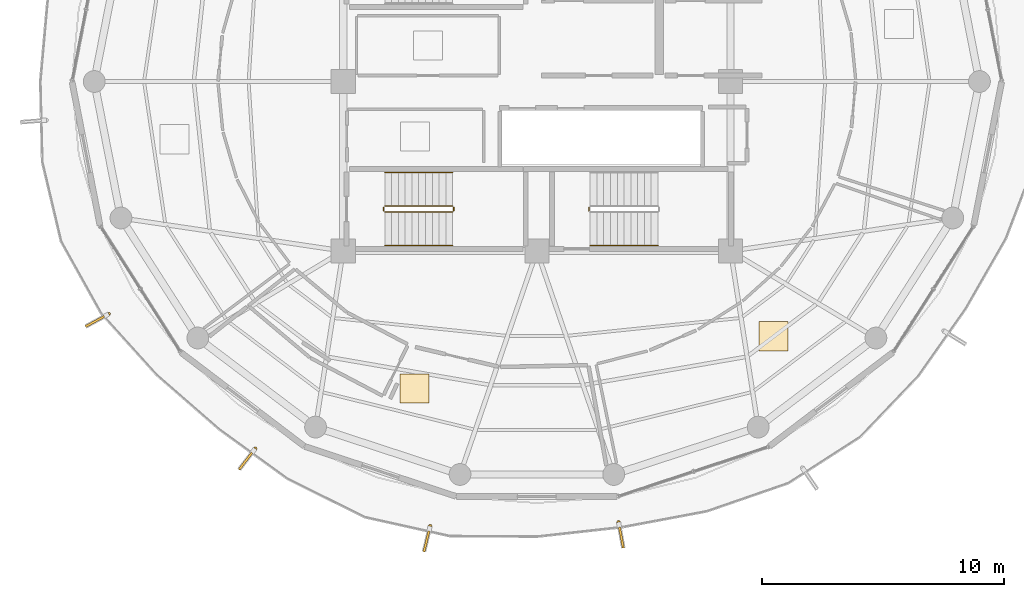
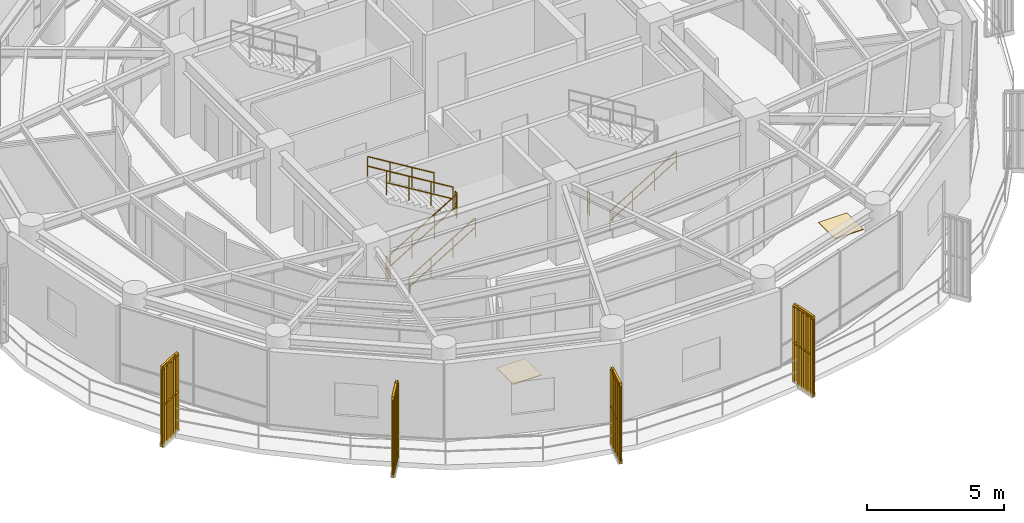
# One storey, part 20 of 23: 12 railings, 4 shading devices, 2 coverings.
"""IFC4 building model written with IfcOpenShell, lengths in metres."""

from ifc_helpers import new_model, si_unit, direction, frame, origin, origin_2d, place, context, subcontext, project, spatial, polyline, rectangle, outline, extrude, source, transform, mapped, material, layer, layer_set, type_object, element, save


model = new_model("IFC4")

# Units and contexts
model_context = context("Model", 3, precision=1e-05, world=origin(), true_north=direction((0.0, 1.0)))
body_context = subcontext(model_context, "Body", "Model", "MODEL_VIEW")
ifc_project = project(units=[si_unit("LENGTHUNIT", "METRE"), si_unit("AREAUNIT", "SQUARE_METRE"), si_unit("VOLUMEUNIT", "CUBIC_METRE"), si_unit("PLANEANGLEUNIT", "RADIAN"), si_unit("MASSUNIT", "GRAM", prefix="KILO")], contexts=[model_context])

# Site, building, storey
site_placement = place(None, origin())
site = spatial("IfcSite", under=ifc_project, at=site_placement, CompositionType="ELEMENT")
building_placement = place(site_placement, origin())
building = spatial("IfcBuilding", under=site, at=building_placement, Name="Kelanora Arch Commons", CompositionType="ELEMENT")
storey_placement = place(building_placement, frame((0.0, 0.0, 286.199951171875)))
storey = spatial("IfcBuildingStorey", under=building, at=storey_placement, Name="L73", CompositionType="ELEMENT", Elevation=286.199951171875)

# Railings
ifc_material_1 = material(Name="Anodised bronze vertical shading fin rib assembly")
railing_type_1 = type_object("IfcRailingType", Name="RAIL-FIN-BRZ", PredefinedType="BALUSTRADE", material=ifc_material_1)
railing_1_placement = place(storey_placement, frame((56.318115234375, 48.399169921875, -0.02001953125)))
element("IfcRailing", 1, at=railing_1_placement, inside=storey, type_object=railing_type_1, Name="Sweeping Bronze Vertical Fin Blade L73-09", PredefinedType="BALUSTRADE", context=body_context, shape_type="SweptSolid", body=[
    extrude(outline(polyline([(0.06982421875, 0.0), (0.034912109375, 0.060546875), (-0.034912109375, 0.060546875), (-0.06982421875, 0.0), (-0.034912109375, -0.060546875), (0.034912109375, -0.060546875), (0.06982421875, 0.0)])), frame((0.0, 0.0, 3.419921875), z_axis=(-0.878761798067, -0.477260622991, 0.0), x_axis=(0.477260622991, -0.878761798067, 0.0)), (0.0, 0.0, 1.0), 1.021484375),
    extrude(outline(polyline([(0.06982421875, 0.0), (0.034912109375, 0.060546875), (-0.034912109375, 0.060546875), (-0.06982421875, 0.0), (-0.034912109375, -0.060546875), (0.034912109375, -0.060546875), (0.06982421875, 0.0)])), frame((0.0, 0.0, 1.7451171875), z_axis=(-0.878761798067, -0.477260622991, 0.0), x_axis=(0.477260622991, -0.878761798067, 0.0)), (0.0, 0.0, 1.0), 1.021484375),
    extrude(outline(polyline([(0.080078125, 0.0), (0.0400390625, 0.0693359375), (-0.0400390625, 0.0693359375), (-0.080078125, 0.0), (-0.0400390625, -0.0693359375), (0.0400390625, -0.0693359375), (0.080078125, 0.0)])), origin(), (0.0, 0.0, 1.0), 3.35009765625),
    extrude(outline(polyline([(0.080078125, 0.0), (0.0400390625, 0.0693359375), (-0.0400390625, 0.0693359375), (-0.080078125, 0.0), (-0.0400390625, -0.0693359375), (0.0400390625, -0.0693359375), (0.080078125, 0.0)])), frame((-0.224365234375, -0.121826171875, 0.0)), (0.0, 0.0, 1.0), 3.35009765625),
    extrude(outline(polyline([(0.080078125, 0.0), (0.0400390625, 0.0693359375), (-0.0400390625, 0.0693359375), (-0.080078125, 0.0), (-0.0400390625, -0.0693359375), (0.0400390625, -0.0693359375), (0.080078125, 0.0)])), frame((-0.44873046875, -0.24365234375, 0.0)), (0.0, 0.0, 1.0), 3.35009765625),
    extrude(outline(polyline([(0.080078125, 0.0), (0.0400390625, 0.0693359375), (-0.0400390625, 0.0693359375), (-0.080078125, 0.0), (-0.0400390625, -0.0693359375), (0.0400390625, -0.0693359375), (0.080078125, 0.0)])), frame((-0.67333984375, -0.36572265625, 0.0)), (0.0, 0.0, 1.0), 3.35009765625),
    extrude(outline(polyline([(0.080078125, 0.0), (0.0400390625, 0.0693359375), (-0.0400390625, 0.0693359375), (-0.080078125, 0.0), (-0.0400390625, -0.0693359375), (0.0400390625, -0.0693359375), (0.080078125, 0.0)])), frame((-0.897705078125, -0.487548828125, 0.0)), (0.0, 0.0, 1.0), 3.35009765625),
])
railing_2_placement = place(storey_placement, frame((62.365234375, 42.8369140625, -0.02001953125)))
element("IfcRailing", 2, at=railing_2_placement, inside=storey, type_object=railing_type_1, Name="Sweeping Bronze Vertical Fin Blade L73-10", PredefinedType="BALUSTRADE", context=body_context, shape_type="SweptSolid", body=[
    extrude(outline(polyline([(0.06982421875, 0.0), (0.034912109375, 0.060546875), (-0.034912109375, 0.060546875), (-0.06982421875, 0.0), (-0.034912109375, -0.060546875), (0.034912109375, -0.060546875), (0.06982421875, 0.0)])), frame((0.0, 0.0, 3.419921875), z_axis=(-0.608566970206, -0.793502515922, 0.0), x_axis=(0.793502515922, -0.608566970206, 0.0)), (0.0, 0.0, 1.0), 1.021728515625),
    extrude(outline(polyline([(0.06982421875, 0.0), (0.034912109375, 0.060546875), (-0.034912109375, 0.060546875), (-0.06982421875, 0.0), (-0.034912109375, -0.060546875), (0.034912109375, -0.060546875), (0.06982421875, 0.0)])), frame((0.0, 0.0, 1.7451171875), z_axis=(-0.608566970206, -0.793502515922, 0.0), x_axis=(0.793502515922, -0.608566970206, 0.0)), (0.0, 0.0, 1.0), 1.021728515625),
    extrude(outline(polyline([(0.080078125, 0.0), (0.0400390625, 0.0693359375), (-0.0400390625, 0.0693359375), (-0.080078125, 0.0), (-0.0400390625, -0.0693359375), (0.0400390625, -0.0693359375), (0.080078125, 0.0)])), origin(), (0.0, 0.0, 1.0), 3.35009765625),
    extrude(outline(polyline([(0.080078125, 0.0), (0.0400390625, 0.0693359375), (-0.0400390625, 0.0693359375), (-0.080078125, 0.0), (-0.0400390625, -0.0693359375), (0.0400390625, -0.0693359375), (0.080078125, 0.0)])), frame((-0.155517578125, -0.20263671875, 0.0)), (0.0, 0.0, 1.0), 3.35009765625),
    extrude(outline(polyline([(0.080078125, 0.0), (0.0400390625, 0.0693359375), (-0.0400390625, 0.0693359375), (-0.080078125, 0.0), (-0.0400390625, -0.0693359375), (0.0400390625, -0.0693359375), (0.080078125, 0.0)])), frame((-0.31103515625, -0.4052734375, 0.0)), (0.0, 0.0, 1.0), 3.35009765625),
    extrude(outline(polyline([(0.080078125, 0.0), (0.0400390625, 0.0693359375), (-0.0400390625, 0.0693359375), (-0.080078125, 0.0), (-0.0400390625, -0.0693359375), (0.0400390625, -0.0693359375), (0.080078125, 0.0)])), frame((-0.46630859375, -0.608154296875, 0.0)), (0.0, 0.0, 1.0), 3.35009765625),
    extrude(outline(polyline([(0.080078125, 0.0), (0.0400390625, 0.0693359375), (-0.0400390625, 0.0693359375), (-0.080078125, 0.0), (-0.0400390625, -0.0693359375), (0.0400390625, -0.0693359375), (0.080078125, 0.0)])), frame((-0.621826171875, -0.810791015625, 0.0)), (0.0, 0.0, 1.0), 3.35009765625),
])
railing_3_placement = place(storey_placement, frame((69.591796875, 39.63720703125, -0.02001953125)))
element("IfcRailing", 3, at=railing_3_placement, inside=storey, type_object=railing_type_1, Name="Sweeping Bronze Vertical Fin Blade L73-11", PredefinedType="BALUSTRADE", context=body_context, shape_type="SweptSolid", body=[
    extrude(outline(polyline([(0.06982421875, 0.0), (0.034912109375, 0.060546875), (-0.034912109375, 0.060546875), (-0.06982421875, 0.0), (-0.034912109375, -0.060546875), (0.034912109375, -0.060546875), (0.06982421875, 0.0)])), frame((0.0, 0.0, 3.419921875), z_axis=(-0.233246409362, -0.97241766362, 0.0), x_axis=(0.97241766362, -0.233246409362, 0.0)), (0.0, 0.0, 1.0), 1.021484375),
    extrude(outline(polyline([(0.06982421875, 0.0), (0.034912109375, 0.060546875), (-0.034912109375, 0.060546875), (-0.06982421875, 0.0), (-0.034912109375, -0.060546875), (0.034912109375, -0.060546875), (0.06982421875, 0.0)])), frame((0.0, 0.0, 1.7451171875), z_axis=(-0.233246409362, -0.97241766362, 0.0), x_axis=(0.97241766362, -0.233246409362, 0.0)), (0.0, 0.0, 1.0), 1.021484375),
    extrude(outline(polyline([(0.080078125, 0.0), (0.0400390625, 0.0693359375), (-0.0400390625, 0.0693359375), (-0.080078125, 0.0), (-0.0400390625, -0.0693359375), (0.0400390625, -0.0693359375), (0.080078125, 0.0)])), origin(), (0.0, 0.0, 1.0), 3.35009765625),
    extrude(outline(polyline([(0.080078125, 0.0), (0.0400390625, 0.0693359375), (-0.0400390625, 0.0693359375), (-0.080078125, 0.0), (-0.0400390625, -0.0693359375), (0.0400390625, -0.0693359375), (0.080078125, 0.0)])), frame((-0.0595703125, -0.248291015625, 0.0)), (0.0, 0.0, 1.0), 3.35009765625),
    extrude(outline(polyline([(0.080078125, 0.0), (0.0400390625, 0.0693359375), (-0.0400390625, 0.0693359375), (-0.080078125, 0.0), (-0.0400390625, -0.0693359375), (0.0400390625, -0.0693359375), (0.080078125, 0.0)])), frame((-0.119140625, -0.49658203125, 0.0)), (0.0, 0.0, 1.0), 3.35009765625),
    extrude(outline(polyline([(0.080078125, 0.0), (0.0400390625, 0.0693359375), (-0.0400390625, 0.0693359375), (-0.080078125, 0.0), (-0.0400390625, -0.0693359375), (0.0400390625, -0.0693359375), (0.080078125, 0.0)])), frame((-0.1787109375, -0.7451171875, 0.0)), (0.0, 0.0, 1.0), 3.35009765625),
    extrude(outline(polyline([(0.080078125, 0.0), (0.0400390625, 0.0693359375), (-0.0400390625, 0.0693359375), (-0.080078125, 0.0), (-0.0400390625, -0.0693359375), (0.0400390625, -0.0693359375), (0.080078125, 0.0)])), frame((-0.23828125, -0.993408203125, 0.0)), (0.0, 0.0, 1.0), 3.35009765625),
])
railing_4_placement = place(storey_placement, frame((77.373046875, 39.802978515625, -0.02001953125)))
element("IfcRailing", 4, at=railing_4_placement, inside=storey, type_object=railing_type_1, Name="Sweeping Bronze Vertical Fin Blade L73-12", PredefinedType="BALUSTRADE", context=body_context, shape_type="SweptSolid", body=[
    extrude(outline(polyline([(0.06982421875, 0.0), (0.034912109375, 0.060546875), (-0.034912109375, 0.060546875), (-0.06982421875, 0.0), (-0.034912109375, -0.060546875), (0.034912109375, -0.060546875), (0.06982421875, 0.0)])), frame((0.0, 0.0, 3.419921875), z_axis=(0.182080703573, -0.983283589503, 0.0), x_axis=(0.983283589503, 0.182080703573, 0.0)), (0.0, 0.0, 1.0), 1.021728515625),
    extrude(outline(polyline([(0.06982421875, 0.0), (0.034912109375, 0.060546875), (-0.034912109375, 0.060546875), (-0.06982421875, 0.0), (-0.034912109375, -0.060546875), (0.034912109375, -0.060546875), (0.06982421875, 0.0)])), frame((0.0, 0.0, 1.7451171875), z_axis=(0.182080703573, -0.983283589503, 0.0), x_axis=(0.983283589503, 0.182080703573, 0.0)), (0.0, 0.0, 1.0), 1.021728515625),
    extrude(outline(polyline([(0.080078125, 0.0), (0.0400390625, 0.0693359375), (-0.0400390625, 0.0693359375), (-0.080078125, 0.0), (-0.0400390625, -0.0693359375), (0.0400390625, -0.0693359375), (0.080078125, 0.0)])), origin(), (0.0, 0.0, 1.0), 3.35009765625),
    extrude(outline(polyline([(0.080078125, 0.0), (0.0400390625, 0.0693359375), (-0.0400390625, 0.0693359375), (-0.080078125, 0.0), (-0.0400390625, -0.0693359375), (0.0400390625, -0.0693359375), (0.080078125, 0.0)])), frame((0.04638671875, -0.251220703125, 0.0)), (0.0, 0.0, 1.0), 3.35009765625),
    extrude(outline(polyline([(0.080078125, 0.0), (0.0400390625, 0.0693359375), (-0.0400390625, 0.0693359375), (-0.080078125, 0.0), (-0.0400390625, -0.0693359375), (0.0400390625, -0.0693359375), (0.080078125, 0.0)])), frame((0.093017578125, -0.50244140625, 0.0)), (0.0, 0.0, 1.0), 3.35009765625),
    extrude(outline(polyline([(0.080078125, 0.0), (0.0400390625, 0.0693359375), (-0.0400390625, 0.0693359375), (-0.080078125, 0.0), (-0.0400390625, -0.0693359375), (0.0400390625, -0.0693359375), (0.080078125, 0.0)])), frame((0.1396484375, -0.75341796875, 0.0)), (0.0, 0.0, 1.0), 3.35009765625),
    extrude(outline(polyline([(0.080078125, 0.0), (0.0400390625, 0.0693359375), (-0.0400390625, 0.0693359375), (-0.080078125, 0.0), (-0.0400390625, -0.0693359375), (0.0400390625, -0.0693359375), (0.080078125, 0.0)])), frame((0.18603515625, -1.004638671875, 0.0)), (0.0, 0.0, 1.0), 3.35009765625),
])
ifc_material_2 = material(Name="Painted steel stair well guard", Category="steel")
railing_type_2 = type_object("IfcRailingType", Name="RAIL-STAIR-GRD", PredefinedType="GUARDRAIL", material=ifc_material_2)
railing_5_placement = place(storey_placement, frame((76.14990234375, 52.659912109375, 0.0)))
element("IfcRailing", 5, at=railing_5_placement, inside=storey, type_object=railing_type_2, Name="L73 ST-T2 stair guard 4", PredefinedType="GUARDRAIL", context=body_context, shape_type="SweptSolid", body=[
    extrude(outline(polyline([(0.02392578125, 0.0), (0.011962890625, 0.020751953125), (-0.011962890625, 0.020751953125), (-0.02392578125, 0.0), (-0.011962890625, -0.020751953125), (0.011962890625, -0.020751953125), (0.02392578125, 0.0)])), frame((0.0, 0.0, 1.076171875), z_axis=(0.0, 1.0, 0.0), x_axis=(-1.0, 0.0, 0.0)), (0.0, 0.0, 1.0), 0.150146484375),
    extrude(outline(polyline([(0.02392578125, 0.0), (0.011962890625, 0.020751953125), (-0.011962890625, 0.020751953125), (-0.02392578125, 0.0), (-0.011962890625, -0.020751953125), (0.011962890625, -0.020751953125), (0.02392578125, 0.0)])), frame((0.0, 0.0, 0.550048828125), z_axis=(0.0, 1.0, 0.0), x_axis=(-1.0, 0.0, 0.0)), (0.0, 0.0, 1.0), 0.150146484375),
    extrude(outline(polyline([(0.02099609375, 0.0), (0.010498046875, 0.01806640625), (-0.010498046875, 0.01806640625), (-0.02099609375, 0.0), (-0.010498046875, -0.01806640625), (0.010498046875, -0.01806640625), (0.02099609375, 0.0)])), origin(), (0.0, 0.0, 1.0), 1.052001953125),
    extrude(outline(polyline([(0.02099609375, 0.0), (0.010498046875, 0.01806640625), (-0.010498046875, 0.01806640625), (-0.02099609375, 0.0), (-0.010498046875, -0.01806640625), (0.010498046875, -0.01806640625), (0.02099609375, 0.0)])), frame((0.0, 0.150146484375, 0.0)), (0.0, 0.0, 1.0), 1.052001953125),
])
railing_6_placement = place(storey_placement, frame((67.719970703125, 52.610107421875, 0.17041015625)))
element("IfcRailing", 6, at=railing_6_placement, inside=storey, type_object=railing_type_2, Name="L73 ST-T3 stair guard 1", PredefinedType="GUARDRAIL", context=body_context, shape_type="SweptSolid", body=[
    extrude(outline(polyline([(0.02392578125, 0.0), (0.011962890625, 0.020751953125), (-0.011962890625, 0.020751953125), (-0.02392578125, 0.0), (-0.011962890625, -0.020751953125), (0.011962890625, -0.020751953125), (0.02392578125, 0.0)])), frame((0.0, 0.0, 1.076171875), z_axis=(0.854169791009, 0.0, 0.51999420009), x_axis=(0.0, 1.0, 0.0)), (0.0, 0.0, 1.0), 3.278076171875),
    extrude(outline(polyline([(0.02392578125, 0.0), (0.011962890625, 0.020751953125), (-0.011962890625, 0.020751953125), (-0.02392578125, 0.0), (-0.011962890625, -0.020751953125), (0.011962890625, -0.020751953125), (0.02392578125, 0.0)])), frame((0.0, 0.0, 0.550048828125), z_axis=(0.854169791009, 0.0, 0.51999420009), x_axis=(0.0, 1.0, 0.0)), (0.0, 0.0, 1.0), 3.278076171875),
    extrude(outline(polyline([(0.02099609375, 0.0), (0.010498046875, 0.01806640625), (-0.010498046875, 0.01806640625), (-0.02099609375, 0.0), (-0.010498046875, -0.01806640625), (0.010498046875, -0.01806640625), (0.02099609375, 0.0)])), origin(), (0.0, 0.0, 1.0), 1.052001953125),
    extrude(outline(polyline([(0.02099609375, 0.0), (0.010498046875, 0.01806640625), (-0.010498046875, 0.01806640625), (-0.02099609375, 0.0), (-0.010498046875, -0.01806640625), (0.010498046875, -0.01806640625), (0.02099609375, 0.0)])), frame((0.933349609375, 0.0, 0.568115234375)), (0.0, 0.0, 1.0), 1.052001953125),
    extrude(outline(polyline([(0.02099609375, 0.0), (0.010498046875, 0.01806640625), (-0.010498046875, 0.01806640625), (-0.02099609375, 0.0), (-0.010498046875, -0.01806640625), (0.010498046875, -0.01806640625), (0.02099609375, 0.0)])), frame((1.86669921875, 0.0, 1.136474609375)), (0.0, 0.0, 1.0), 1.052001953125),
    extrude(outline(polyline([(0.02099609375, 0.0), (0.010498046875, 0.01806640625), (-0.010498046875, 0.01806640625), (-0.02099609375, 0.0), (-0.010498046875, -0.01806640625), (0.010498046875, -0.01806640625), (0.02099609375, 0.0)])), frame((2.800048828125, 0.0, 1.70458984375)), (0.0, 0.0, 1.0), 1.052001953125),
])
railing_7_placement = place(storey_placement, frame((70.570068359375, 52.659912109375, 1.875)))
element("IfcRailing", 7, at=railing_7_placement, inside=storey, type_object=railing_type_2, Name="L73 ST-T3 stair guard 2", PredefinedType="GUARDRAIL", context=body_context, shape_type="SweptSolid", body=[
    extrude(outline(polyline([(0.02392578125, 0.0), (0.011962890625, 0.020751953125), (-0.011962890625, 0.020751953125), (-0.02392578125, 0.0), (-0.011962890625, -0.020751953125), (0.011962890625, -0.020751953125), (0.02392578125, 0.0)])), frame((0.0, 0.0, 1.076171875), z_axis=(0.0, 1.0, 0.0), x_axis=(-1.0, 0.0, 0.0)), (0.0, 0.0, 1.0), 0.150146484375),
    extrude(outline(polyline([(0.02392578125, 0.0), (0.011962890625, 0.020751953125), (-0.011962890625, 0.020751953125), (-0.02392578125, 0.0), (-0.011962890625, -0.020751953125), (0.011962890625, -0.020751953125), (0.02392578125, 0.0)])), frame((0.0, 0.0, 0.550048828125), z_axis=(0.0, 1.0, 0.0), x_axis=(-1.0, 0.0, 0.0)), (0.0, 0.0, 1.0), 0.150146484375),
    extrude(outline(polyline([(0.02099609375, 0.0), (0.010498046875, 0.01806640625), (-0.010498046875, 0.01806640625), (-0.02099609375, 0.0), (-0.010498046875, -0.01806640625), (0.010498046875, -0.01806640625), (0.02099609375, 0.0)])), origin(), (0.0, 0.0, 1.0), 1.052001953125),
    extrude(outline(polyline([(0.02099609375, 0.0), (0.010498046875, 0.01806640625), (-0.010498046875, 0.01806640625), (-0.02099609375, 0.0), (-0.010498046875, -0.01806640625), (0.010498046875, -0.01806640625), (0.02099609375, 0.0)])), frame((0.0, 0.150146484375, 0.0)), (0.0, 0.0, 1.0), 1.052001953125),
])
railing_8_placement = place(storey_placement, frame((70.52001953125, 52.860107421875, 2.04541015625)))
element("IfcRailing", 8, at=railing_8_placement, inside=storey, type_object=railing_type_2, Name="L73 ST-T3 stair guard 3", PredefinedType="GUARDRAIL", context=body_context, shape_type="SweptSolid", body=[
    extrude(outline(polyline([(0.02392578125, 0.0), (0.011962890625, 0.020751953125), (-0.011962890625, 0.020751953125), (-0.02392578125, 0.0), (-0.011962890625, -0.020751953125), (0.011962890625, -0.020751953125), (0.02392578125, 0.0)])), frame((0.0, 0.0, 1.076171875), z_axis=(-0.854169791009, 0.0, 0.51999420009), x_axis=(0.0, -1.0, 0.0)), (0.0, 0.0, 1.0), 3.278076171875),
    extrude(outline(polyline([(0.02392578125, 0.0), (0.011962890625, 0.020751953125), (-0.011962890625, 0.020751953125), (-0.02392578125, 0.0), (-0.011962890625, -0.020751953125), (0.011962890625, -0.020751953125), (0.02392578125, 0.0)])), frame((0.0, 0.0, 0.550048828125), z_axis=(-0.854169791009, 0.0, 0.51999420009), x_axis=(0.0, -1.0, 0.0)), (0.0, 0.0, 1.0), 3.278076171875),
    extrude(outline(polyline([(0.02099609375, 0.0), (0.010498046875, 0.01806640625), (-0.010498046875, 0.01806640625), (-0.02099609375, 0.0), (-0.010498046875, -0.01806640625), (0.010498046875, -0.01806640625), (0.02099609375, 0.0)])), origin(), (0.0, 0.0, 1.0), 1.052001953125),
    extrude(outline(polyline([(0.02099609375, 0.0), (0.010498046875, 0.01806640625), (-0.010498046875, 0.01806640625), (-0.02099609375, 0.0), (-0.010498046875, -0.01806640625), (0.010498046875, -0.01806640625), (0.02099609375, 0.0)])), frame((-0.933349609375, 0.0, 0.568115234375)), (0.0, 0.0, 1.0), 1.052001953125),
    extrude(outline(polyline([(0.02099609375, 0.0), (0.010498046875, 0.01806640625), (-0.010498046875, 0.01806640625), (-0.02099609375, 0.0), (-0.010498046875, -0.01806640625), (0.010498046875, -0.01806640625), (0.02099609375, 0.0)])), frame((-1.86669921875, 0.0, 1.136474609375)), (0.0, 0.0, 1.0), 1.052001953125),
    extrude(outline(polyline([(0.02099609375, 0.0), (0.010498046875, 0.01806640625), (-0.010498046875, 0.01806640625), (-0.02099609375, 0.0), (-0.010498046875, -0.01806640625), (0.010498046875, -0.01806640625), (0.02099609375, 0.0)])), frame((-2.800048828125, 0.0, 1.70458984375)), (0.0, 0.0, 1.0), 1.052001953125),
])
railing_9_placement = place(storey_placement, frame((67.669921875, 52.659912109375, 0.0)))
element("IfcRailing", 9, at=railing_9_placement, inside=storey, type_object=railing_type_2, Name="L73 ST-T3 stair guard 4", PredefinedType="GUARDRAIL", context=body_context, shape_type="SweptSolid", body=[
    extrude(outline(polyline([(0.02392578125, 0.0), (0.011962890625, 0.020751953125), (-0.011962890625, 0.020751953125), (-0.02392578125, 0.0), (-0.011962890625, -0.020751953125), (0.011962890625, -0.020751953125), (0.02392578125, 0.0)])), frame((0.0, 0.0, 1.076171875), z_axis=(0.0, 1.0, 0.0), x_axis=(-1.0, 0.0, 0.0)), (0.0, 0.0, 1.0), 0.150146484375),
    extrude(outline(polyline([(0.02392578125, 0.0), (0.011962890625, 0.020751953125), (-0.011962890625, 0.020751953125), (-0.02392578125, 0.0), (-0.011962890625, -0.020751953125), (0.011962890625, -0.020751953125), (0.02392578125, 0.0)])), frame((0.0, 0.0, 0.550048828125), z_axis=(0.0, 1.0, 0.0), x_axis=(-1.0, 0.0, 0.0)), (0.0, 0.0, 1.0), 0.150146484375),
    extrude(outline(polyline([(0.02099609375, 0.0), (0.010498046875, 0.01806640625), (-0.010498046875, 0.01806640625), (-0.02099609375, 0.0), (-0.010498046875, -0.01806640625), (0.010498046875, -0.01806640625), (0.02099609375, 0.0)])), origin(), (0.0, 0.0, 1.0), 1.052001953125),
    extrude(outline(polyline([(0.02099609375, 0.0), (0.010498046875, 0.01806640625), (-0.010498046875, 0.01806640625), (-0.02099609375, 0.0), (-0.010498046875, -0.01806640625), (0.010498046875, -0.01806640625), (0.02099609375, 0.0)])), frame((0.0, 0.150146484375, 0.0)), (0.0, 0.0, 1.0), 1.052001953125),
])
ifc_material_3 = material(Name="Brushed stainless steel stair handrail", Category="steel")
railing_type_3 = type_object("IfcRailingType", Name="RAIL-STAIR-HND", PredefinedType="HANDRAIL", material=ifc_material_3)
railing_10_placement = place(storey_placement, frame((76.199951171875, 51.22998046875, 0.17041015625)))
element("IfcRailing", 10, at=railing_10_placement, inside=storey, type_object=railing_type_3, Name="L73 ST-T2 stair handrail 1", PredefinedType="HANDRAIL", context=body_context, shape_type="SweptSolid", body=[
    extrude(outline(polyline([(0.02392578125, 0.0), (0.011962890625, 0.020751953125), (-0.011962890625, 0.020751953125), (-0.02392578125, 0.0), (-0.011962890625, -0.020751953125), (0.011962890625, -0.020751953125), (0.02392578125, 0.0)])), frame((0.0, 0.0, 0.8759765625), z_axis=(0.854169791009, 0.0, 0.51999420009), x_axis=(0.0, 1.0, 0.0)), (0.0, 0.0, 1.0), 3.278076171875),
    extrude(outline(polyline([(0.02392578125, 0.0), (0.011962890625, 0.020751953125), (-0.011962890625, 0.020751953125), (-0.02392578125, 0.0), (-0.011962890625, -0.020751953125), (0.011962890625, -0.020751953125), (0.02392578125, 0.0)])), frame((0.0, 0.0, 0.449951171875), z_axis=(0.854169791009, 0.0, 0.51999420009), x_axis=(0.0, 1.0, 0.0)), (0.0, 0.0, 1.0), 3.278076171875),
    extrude(outline(polyline([(0.02099609375, 0.0), (0.010498046875, 0.01806640625), (-0.010498046875, 0.01806640625), (-0.02099609375, 0.0), (-0.010498046875, -0.01806640625), (0.010498046875, -0.01806640625), (0.02099609375, 0.0)])), origin(), (0.0, 0.0, 1.0), 0.851806640625),
    extrude(outline(polyline([(0.02099609375, 0.0), (0.010498046875, 0.01806640625), (-0.010498046875, 0.01806640625), (-0.02099609375, 0.0), (-0.010498046875, -0.01806640625), (0.010498046875, -0.01806640625), (0.02099609375, 0.0)])), frame((0.933349609375, 0.0, 0.568115234375)), (0.0, 0.0, 1.0), 0.851806640625),
    extrude(outline(polyline([(0.02099609375, 0.0), (0.010498046875, 0.01806640625), (-0.010498046875, 0.01806640625), (-0.02099609375, 0.0), (-0.010498046875, -0.01806640625), (0.010498046875, -0.01806640625), (0.02099609375, 0.0)])), frame((1.86669921875, 0.0, 1.136474609375)), (0.0, 0.0, 1.0), 0.851806640625),
    extrude(outline(polyline([(0.02099609375, 0.0), (0.010498046875, 0.01806640625), (-0.010498046875, 0.01806640625), (-0.02099609375, 0.0), (-0.010498046875, -0.01806640625), (0.010498046875, -0.01806640625), (0.02099609375, 0.0)])), frame((2.800048828125, 0.0, 1.70458984375)), (0.0, 0.0, 1.0), 0.851806640625),
])
railing_11_placement = place(storey_placement, frame((67.719970703125, 51.22998046875, 0.17041015625)))
element("IfcRailing", 11, at=railing_11_placement, inside=storey, type_object=railing_type_3, Name="L73 ST-T3 stair handrail 1", PredefinedType="HANDRAIL", context=body_context, shape_type="SweptSolid", body=[
    extrude(outline(polyline([(0.02392578125, 0.0), (0.011962890625, 0.020751953125), (-0.011962890625, 0.020751953125), (-0.02392578125, 0.0), (-0.011962890625, -0.020751953125), (0.011962890625, -0.020751953125), (0.02392578125, 0.0)])), frame((0.0, 0.0, 0.8759765625), z_axis=(0.854169791009, 0.0, 0.51999420009), x_axis=(0.0, 1.0, 0.0)), (0.0, 0.0, 1.0), 3.278076171875),
    extrude(outline(polyline([(0.02392578125, 0.0), (0.011962890625, 0.020751953125), (-0.011962890625, 0.020751953125), (-0.02392578125, 0.0), (-0.011962890625, -0.020751953125), (0.011962890625, -0.020751953125), (0.02392578125, 0.0)])), frame((0.0, 0.0, 0.449951171875), z_axis=(0.854169791009, 0.0, 0.51999420009), x_axis=(0.0, 1.0, 0.0)), (0.0, 0.0, 1.0), 3.278076171875),
    extrude(outline(polyline([(0.02099609375, 0.0), (0.010498046875, 0.01806640625), (-0.010498046875, 0.01806640625), (-0.02099609375, 0.0), (-0.010498046875, -0.01806640625), (0.010498046875, -0.01806640625), (0.02099609375, 0.0)])), origin(), (0.0, 0.0, 1.0), 0.851806640625),
    extrude(outline(polyline([(0.02099609375, 0.0), (0.010498046875, 0.01806640625), (-0.010498046875, 0.01806640625), (-0.02099609375, 0.0), (-0.010498046875, -0.01806640625), (0.010498046875, -0.01806640625), (0.02099609375, 0.0)])), frame((0.933349609375, 0.0, 0.568115234375)), (0.0, 0.0, 1.0), 0.851806640625),
    extrude(outline(polyline([(0.02099609375, 0.0), (0.010498046875, 0.01806640625), (-0.010498046875, 0.01806640625), (-0.02099609375, 0.0), (-0.010498046875, -0.01806640625), (0.010498046875, -0.01806640625), (0.02099609375, 0.0)])), frame((1.86669921875, 0.0, 1.136474609375)), (0.0, 0.0, 1.0), 0.851806640625),
    extrude(outline(polyline([(0.02099609375, 0.0), (0.010498046875, 0.01806640625), (-0.010498046875, 0.01806640625), (-0.02099609375, 0.0), (-0.010498046875, -0.01806640625), (0.010498046875, -0.01806640625), (0.02099609375, 0.0)])), frame((2.800048828125, 0.0, 1.70458984375)), (0.0, 0.0, 1.0), 0.851806640625),
])
railing_12_placement = place(storey_placement, frame((70.52001953125, 54.239990234375, 2.04541015625)))
element("IfcRailing", 12, at=railing_12_placement, inside=storey, type_object=railing_type_3, Name="L73 ST-T3 stair handrail 2", PredefinedType="HANDRAIL", context=body_context, shape_type="SweptSolid", body=[
    extrude(outline(polyline([(0.02392578125, 0.0), (0.011962890625, 0.020751953125), (-0.011962890625, 0.020751953125), (-0.02392578125, 0.0), (-0.011962890625, -0.020751953125), (0.011962890625, -0.020751953125), (0.02392578125, 0.0)])), frame((0.0, 0.0, 0.8759765625), z_axis=(-0.854169791009, 0.0, 0.51999420009), x_axis=(0.0, -1.0, 0.0)), (0.0, 0.0, 1.0), 3.278076171875),
    extrude(outline(polyline([(0.02392578125, 0.0), (0.011962890625, 0.020751953125), (-0.011962890625, 0.020751953125), (-0.02392578125, 0.0), (-0.011962890625, -0.020751953125), (0.011962890625, -0.020751953125), (0.02392578125, 0.0)])), frame((0.0, 0.0, 0.449951171875), z_axis=(-0.854169791009, 0.0, 0.51999420009), x_axis=(0.0, -1.0, 0.0)), (0.0, 0.0, 1.0), 3.278076171875),
    extrude(outline(polyline([(0.02099609375, 0.0), (0.010498046875, 0.01806640625), (-0.010498046875, 0.01806640625), (-0.02099609375, 0.0), (-0.010498046875, -0.01806640625), (0.010498046875, -0.01806640625), (0.02099609375, 0.0)])), origin(), (0.0, 0.0, 1.0), 0.851806640625),
    extrude(outline(polyline([(0.02099609375, 0.0), (0.010498046875, 0.01806640625), (-0.010498046875, 0.01806640625), (-0.02099609375, 0.0), (-0.010498046875, -0.01806640625), (0.010498046875, -0.01806640625), (0.02099609375, 0.0)])), frame((-0.933349609375, 0.0, 0.568115234375)), (0.0, 0.0, 1.0), 0.851806640625),
    extrude(outline(polyline([(0.02099609375, 0.0), (0.010498046875, 0.01806640625), (-0.010498046875, 0.01806640625), (-0.02099609375, 0.0), (-0.010498046875, -0.01806640625), (0.010498046875, -0.01806640625), (0.02099609375, 0.0)])), frame((-1.86669921875, 0.0, 1.136474609375)), (0.0, 0.0, 1.0), 0.851806640625),
    extrude(outline(polyline([(0.02099609375, 0.0), (0.010498046875, 0.01806640625), (-0.010498046875, 0.01806640625), (-0.02099609375, 0.0), (-0.010498046875, -0.01806640625), (0.010498046875, -0.01806640625), (0.02099609375, 0.0)])), frame((-2.800048828125, 0.0, 1.70458984375)), (0.0, 0.0, 1.0), 0.851806640625),
])

# Shading devices
ifc_material_4 = material(Name="Terracotta ceramic-clad extruded aluminium fin", Category="masonry")
shading_device_type = type_object("IfcShadingDeviceType", Name="SHD-FIN-FLARE", PredefinedType="USERDEFINED", material=ifc_material_4)
shared_shape_1 = source(origin(), body_context, "Body", "SweptSolid", [
    extrude(rectangle(XDim=0.8798828125, YDim=0.090087890625, at=origin_2d()), origin(), (0.0, 0.0, 1.0), 3.610107421875),
])
for number, where, z_axis, x_axis, name in (
    (13, (55.74609375, 48.088623046875, -0.14013671875), (0.0, 0.0, 1.0), (-0.878817112662, -0.47715876026, 0.0), "Sweeping Terracotta Fin L73-09"),
    (14, (61.968994140625, 42.320556640625, -0.14013671875), (0.0, 0.0, 1.0), (-0.608761429009, -0.793353340291, 0.0), "Sweeping Terracotta Fin L73-10"),
    (15, (69.43994140625, 39.00439453125, -0.14013671875), (0.0, 0.0, 1.0), (-0.233445363856, -0.972369920398, 0.0), "Sweeping Terracotta Fin L73-11"),
    (16, (77.49169921875, 39.162841796875, -0.14013671875), (0.0, 0.0, 1.0), (0.182235525492, -0.983254907564, 0.0), "Sweeping Terracotta Fin L73-12"),
):
    element("IfcShadingDevice", number, at=place(storey_placement, frame(where, z_axis=z_axis, x_axis=x_axis)), inside=storey, type_object=shading_device_type, Name=name, ObjectType="FIN", PredefinedType="USERDEFINED", context=body_context, shape_type="MappedRepresentation", body=[
        mapped(shared_shape_1, transform((0.0, 0.0, 0.0), scale=1.0)),
    ])

# Coverings
ifc_material_5 = material(Name="Polished local granite terrazzo flooring", Category="masonry")
ifc_layer = layer(ifc_material_5, 0.030029296875)
ifc_layer_set = layer_set([ifc_layer], Name="Polished local granite terrazzo flooring")
covering_type = type_object("IfcCoveringType", Name="COV-FLR-TER", PredefinedType="FLOORING", material=ifc_layer_set)
shared_shape_2 = source(origin(), body_context, "Body", "SweptSolid", [
    extrude(rectangle(XDim=1.199951171875, YDim=1.199951171875, at=origin_2d()), origin(), (0.0, 0.0, 1.0), 0.030029296875),
])
for number, where, z_axis, x_axis, name in (
    (17, (68.950927734375, 45.325927734375, 0.0), (0.0, 0.0, 1.0), (1.0, 0.0, 0.0), "Co-Living Studio L73-03 Terrazzo Finish"),
    (18, (83.766845703125, 47.47998046875, 0.0), (0.0, 0.0, 1.0), (1.0, 0.0, 0.0), "Quiet Seminar Study Room L73-04 Terrazzo Finish"),
):
    element("IfcCovering", number, at=place(storey_placement, frame(where, z_axis=z_axis, x_axis=x_axis)), inside=storey, type_object=covering_type, Name=name, PredefinedType="FLOORING", context=body_context, shape_type="MappedRepresentation", body=[
        mapped(shared_shape_2, transform((0.0, 0.0, 0.0), scale=1.0)),
    ])

save(model, "model.ifc")
